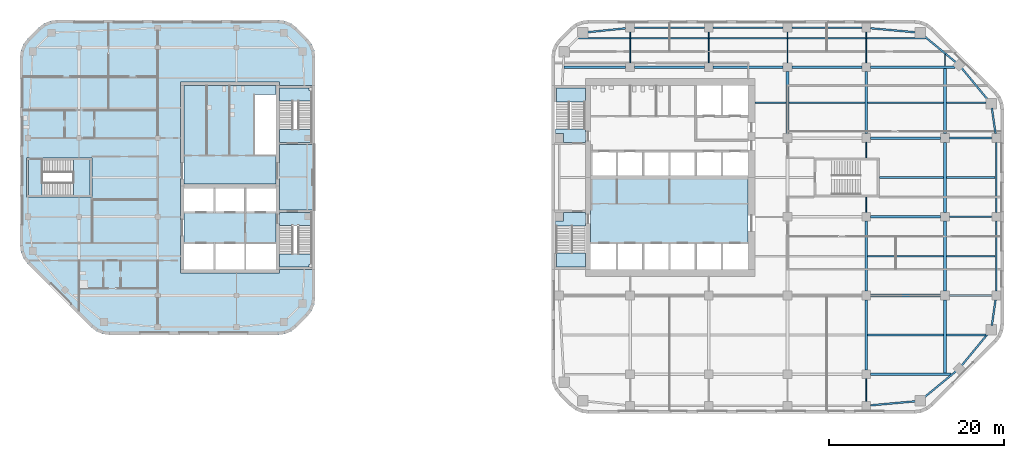
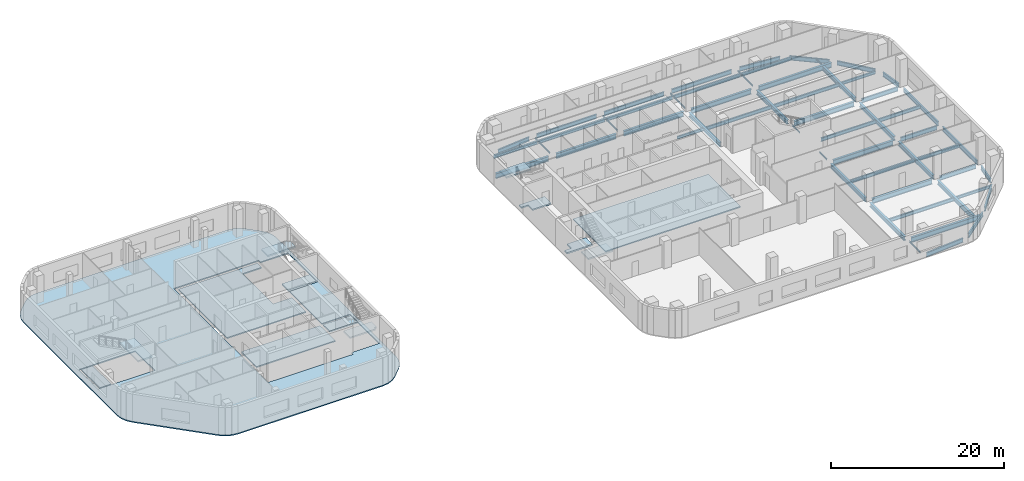
# One storey, part 3 of 14: 57 beams, 14 slabs, 5 elements without a shape of their own.
"""IFC4 building model written with IfcOpenShell, lengths in metres."""

from ifc_helpers import new_model, si_unit, direction, frame, origin, origin_2d, place, context, subcontext, project, spatial, polyline, i_section, outline, extrude, material, layer, layer_set, material_profile, profile_set, type_object, element, aggregate, save


model = new_model("IFC4")

# Units and contexts
model_context = context("Model", 3, precision=1e-05, world=origin(), true_north=direction((0.0, 1.0)))
body_context = subcontext(model_context, "Body", "Model", "MODEL_VIEW")
ifc_project = project(units=[si_unit("LENGTHUNIT", "METRE"), si_unit("AREAUNIT", "SQUARE_METRE"), si_unit("VOLUMEUNIT", "CUBIC_METRE"), si_unit("PLANEANGLEUNIT", "RADIAN"), si_unit("MASSUNIT", "GRAM", prefix="KILO")], contexts=[model_context])

# Site, building, storey
site_placement = place(None, origin())
site = spatial("IfcSite", under=ifc_project, at=site_placement, CompositionType="ELEMENT")
building_placement = place(site_placement, origin())
building = spatial("IfcBuilding", under=site, at=building_placement, Name="Cinnabar Reach Civic Tower", CompositionType="ELEMENT")
storey_placement = place(building_placement, frame((0.0, 0.0, 132.0)))
storey = spatial("IfcBuildingStorey", under=building, at=storey_placement, Name="L31", CompositionType="ELEMENT", Elevation=132.0)

# Beams
ifc_material_1 = material(Name="Steel Q355B", Category="steel")
ifc_material_profile_1 = material_profile(ifc_material_1, i_section(OverallWidth=0.302, OverallDepth=0.594, WebThickness=0.014, FlangeThickness=0.023, FilletRadius=0.016, at=origin_2d()), Name="HM594x302x14x23")
ifc_profile_set_1 = profile_set([ifc_material_profile_1], Name="Steel Q355B")
beam_type_1 = type_object("IfcBeamType", Name="HM594x302x14x23 beam R 180", PredefinedType="BEAM", material=ifc_profile_set_1)
beam_1_placement = place(storey_placement, frame((27.0, 36.502, -0.447), z_axis=(0.0, 1.0, 0.0), x_axis=(-1.0, 0.0, 0.0)))
element("IfcBeam", 1, at=beam_1_placement, inside=storey, type_object=beam_type_1, Name="Girder T1 L31 13", PredefinedType="BEAM", context=body_context, shape_type="SweptSolid", body=[
    extrude(i_section(OverallWidth=0.302, OverallDepth=0.594, WebThickness=0.014, FlangeThickness=0.023, FilletRadius=0.016, at=origin_2d()), origin(), (0.0, 0.0, 1.0), 7.096),
])
for number, where, z_axis, x_axis, name in (
    (2, (36.0, 9.502, -0.447), (0.0, 1.0, 0.0), (-1.0, 0.0, 0.0), "Girder T1 L31 16"),
    (3, (36.0, 18.502, -0.447), (0.0, 1.0, 0.0), (-1.0, 0.0, 0.0), "Girder T1 L31 17"),
):
    element("IfcBeam", number, at=place(storey_placement, frame(where, z_axis=z_axis, x_axis=x_axis)), inside=storey, type_object=beam_type_1, Name=name, PredefinedType="BEAM", context=body_context, shape_type="SweptSolid", body=[
        extrude(i_section(OverallWidth=0.302, OverallDepth=0.594, WebThickness=0.014, FlangeThickness=0.023, FilletRadius=0.016, at=origin_2d()), origin(), (0.0, 0.0, 1.0), 7.996),
    ])
beam_2_placement = place(storey_placement, frame((36.0, 36.502, -0.447), z_axis=(0.0, 1.0, 0.0), x_axis=(-1.0, 0.0, 0.0)))
element("IfcBeam", 4, at=beam_2_placement, inside=storey, type_object=beam_type_1, Name="Girder T1 L31 20", PredefinedType="BEAM", context=body_context, shape_type="SweptSolid", body=[
    extrude(i_section(OverallWidth=0.302, OverallDepth=0.594, WebThickness=0.014, FlangeThickness=0.023, FilletRadius=0.016, at=origin_2d()), origin(), (0.0, 0.0, 1.0), 7.096),
])
beam_3_placement = place(storey_placement, frame((45.0, 9.152, -0.447), z_axis=(0.0, 1.0, 0.0), x_axis=(-1.0, 0.0, 0.0)))
element("IfcBeam", 5, at=beam_3_placement, inside=storey, type_object=beam_type_1, Name="Girder T1 L31 22", PredefinedType="BEAM", context=body_context, shape_type="SweptSolid", body=[
    extrude(i_section(OverallWidth=0.302, OverallDepth=0.594, WebThickness=0.014, FlangeThickness=0.023, FilletRadius=0.016, at=origin_2d()), origin(), (0.0, 0.0, 1.0), 8.346),
])
for number, where, z_axis, x_axis, name in (
    (6, (45.0, 18.502, -0.447), (0.0, 1.0, 0.0), (-1.0, 0.0, 0.0), "Girder T1 L31 23"),
    (7, (45.0, 27.502, -0.447), (0.0, 1.0, 0.0), (-1.0, 0.0, 0.0), "Girder T1 L31 24"),
):
    element("IfcBeam", number, at=place(storey_placement, frame(where, z_axis=z_axis, x_axis=x_axis)), inside=storey, type_object=beam_type_1, Name=name, PredefinedType="BEAM", context=body_context, shape_type="SweptSolid", body=[
        extrude(i_section(OverallWidth=0.302, OverallDepth=0.594, WebThickness=0.014, FlangeThickness=0.023, FilletRadius=0.016, at=origin_2d()), origin(), (0.0, 0.0, 1.0), 7.996),
    ])
beam_4_placement = place(storey_placement, frame((45.0, 36.502, -0.447), z_axis=(0.0, 1.0, 0.0), x_axis=(-1.0, 0.0, 0.0)))
element("IfcBeam", 8, at=beam_4_placement, inside=storey, type_object=beam_type_1, Name="Girder T1 L31 25", PredefinedType="BEAM", context=body_context, shape_type="SweptSolid", body=[
    extrude(i_section(OverallWidth=0.302, OverallDepth=0.594, WebThickness=0.014, FlangeThickness=0.023, FilletRadius=0.016, at=origin_2d()), origin(), (0.0, 0.0, 1.0), 7.446),
])
ifc_material_profile_2 = material_profile(ifc_material_1, i_section(OverallWidth=0.099, OverallDepth=0.198, WebThickness=0.0045, FlangeThickness=0.007, FilletRadius=0.013, at=origin_2d()), Name="HN200x100x5.5x8")
ifc_profile_set_2 = profile_set([ifc_material_profile_2], Name="Steel Q355B")
beam_type_2 = type_object("IfcBeamType", Name="HN200x100x5.5x8 beam R 180", PredefinedType="BEAM", material=ifc_profile_set_2)
for number, where, z_axis, x_axis, name in (
    (9, (9.0, 44.602, -0.249), (0.0, 1.0, 0.0), (-1.0, 0.0, 0.0), "Girder T1 L31 4"),
    (10, (18.0, 44.602, -0.249), (0.0, 1.0, 0.0), (-1.0, 0.0, 0.0), "Girder T1 L31 8"),
    (11, (27.0, 44.602, -0.249), (0.0, 1.0, 0.0), (-1.0, 0.0, 0.0), "Girder T1 L31 14"),
):
    element("IfcBeam", number, at=place(storey_placement, frame(where, z_axis=z_axis, x_axis=x_axis)), inside=storey, type_object=beam_type_2, Name=name, PredefinedType="BEAM", context=body_context, shape_type="SweptSolid", body=[
        extrude(i_section(OverallWidth=0.099, OverallDepth=0.198, WebThickness=0.0045, FlangeThickness=0.007, FilletRadius=0.013, at=origin_2d()), origin(), (0.0, 0.0, 1.0), 3.496),
    ])
beam_5_placement = place(storey_placement, frame((36.0, 5.902, -0.249), z_axis=(0.0, 1.0, 0.0), x_axis=(-1.0, 0.0, 0.0)))
element("IfcBeam", 12, at=beam_5_placement, inside=storey, type_object=beam_type_2, Name="Girder T1 L31 15", PredefinedType="BEAM", context=body_context, shape_type="SweptSolid", body=[
    extrude(i_section(OverallWidth=0.099, OverallDepth=0.198, WebThickness=0.0045, FlangeThickness=0.007, FilletRadius=0.013, at=origin_2d()), origin(), (0.0, 0.0, 1.0), 2.596),
])
for number, where, z_axis, x_axis, name in (
    (13, (36.0, 27.502, -0.249), (0.0, 1.0, 0.0), (-1.0, 0.0, 0.0), "Girder T1 L31 18"),
    (14, (36.0, 33.752, -0.249), (0.0, 1.0, 0.0), (-1.0, 0.0, 0.0), "Girder T1 L31 19"),
):
    element("IfcBeam", number, at=place(storey_placement, frame(where, z_axis=z_axis, x_axis=x_axis)), inside=storey, type_object=beam_type_2, Name=name, PredefinedType="BEAM", context=body_context, shape_type="SweptSolid", body=[
        extrude(i_section(OverallWidth=0.099, OverallDepth=0.198, WebThickness=0.0045, FlangeThickness=0.007, FilletRadius=0.013, at=origin_2d()), origin(), (0.0, 0.0, 1.0), 1.746),
    ])
beam_6_placement = place(storey_placement, frame((36.0, 44.602, -0.249), z_axis=(0.0, 1.0, 0.0), x_axis=(-1.0, 0.0, 0.0)))
element("IfcBeam", 15, at=beam_6_placement, inside=storey, type_object=beam_type_2, Name="Girder T1 L31 21", PredefinedType="BEAM", context=body_context, shape_type="SweptSolid", body=[
    extrude(i_section(OverallWidth=0.099, OverallDepth=0.198, WebThickness=0.0045, FlangeThickness=0.007, FilletRadius=0.013, at=origin_2d()), origin(), (0.0, 0.0, 1.0), 3.496),
])
beam_7_placement = place(storey_placement, frame((45.0, 44.252, -0.249), z_axis=(0.0, 1.0, 0.0), x_axis=(-1.0, 0.0, 0.0)))
element("IfcBeam", 16, at=beam_7_placement, inside=storey, type_object=beam_type_2, Name="Girder T1 L31 26", PredefinedType="BEAM", context=body_context, shape_type="SweptSolid", body=[
    extrude(i_section(OverallWidth=0.099, OverallDepth=0.198, WebThickness=0.0045, FlangeThickness=0.007, FilletRadius=0.013, at=origin_2d()), origin(), (0.0, 0.0, 1.0), 1.3103),
])
ifc_material_profile_3 = material_profile(ifc_material_1, i_section(OverallWidth=0.199, OverallDepth=0.396, WebThickness=0.007, FlangeThickness=0.011, FilletRadius=0.013, at=origin_2d()), Name="HN396x199x7x11")
ifc_profile_set_3 = profile_set([ifc_material_profile_3], Name="Steel Q355B")
beam_type_3 = type_object("IfcBeamType", Name="HN396x199x7x11 beam R 180", PredefinedType="BEAM", material=ifc_profile_set_3)
beam_8_placement = place(storey_placement, frame((45.153, 13.5, -0.348), z_axis=(1.0, 0.0, 0.0), x_axis=(0.0, 1.0, 0.0)))
element("IfcBeam", 17, at=beam_8_placement, inside=storey, type_object=beam_type_3, Name="Secondary beam T1 L31 6", PredefinedType="BEAM", context=body_context, shape_type="SweptSolid", body=[
    extrude(i_section(OverallWidth=0.199, OverallDepth=0.396, WebThickness=0.007, FlangeThickness=0.011, FilletRadius=0.013, at=origin_2d()), origin(), (0.0, 0.0, 1.0), 4.5152),
])
beam_9_placement = place(storey_placement, frame((23.302, 40.05, -0.348), z_axis=(1.0, 0.0, 0.0), x_axis=(0.0, 1.0, 0.0)))
element("IfcBeam", 18, at=beam_9_placement, inside=storey, type_object=beam_type_3, Name="Secondary beam T1 L31 16", PredefinedType="BEAM", context=body_context, shape_type="SweptSolid", body=[
    extrude(i_section(OverallWidth=0.199, OverallDepth=0.396, WebThickness=0.007, FlangeThickness=0.011, FilletRadius=0.013, at=origin_2d()), origin(), (0.0, 0.0, 1.0), 3.545),
])
beam_10_placement = place(storey_placement, frame((45.153, 40.05, -0.348), z_axis=(1.0, 0.0, 0.0), x_axis=(0.0, 1.0, 0.0)))
element("IfcBeam", 19, at=beam_10_placement, inside=storey, type_object=beam_type_3, Name="Secondary beam T1 L31 19", PredefinedType="BEAM", context=body_context, shape_type="SweptSolid", body=[
    extrude(i_section(OverallWidth=0.199, OverallDepth=0.396, WebThickness=0.007, FlangeThickness=0.011, FilletRadius=0.013, at=origin_2d()), origin(), (0.0, 0.0, 1.0), 4.5419),
])
ifc_material_profile_4 = material_profile(ifc_material_1, i_section(OverallWidth=0.199, OverallDepth=0.496, WebThickness=0.009, FlangeThickness=0.014, FilletRadius=0.016, at=origin_2d()), Name="HN496x199x9x14")
ifc_profile_set_4 = profile_set([ifc_material_profile_4], Name="Steel Q355B")
beam_type_4 = type_object("IfcBeamType", Name="HN496x199x9x14 beam R 180", PredefinedType="BEAM", material=ifc_profile_set_4)
for number, where, z_axis, x_axis, name in (
    (20, (36.153, 13.5, -0.398), (1.0, 0.0, 0.0), (0.0, 1.0, 0.0), "Secondary beam T1 L31 5"),
    (21, (36.153, 22.5, -0.398), (1.0, 0.0, 0.0), (0.0, 1.0, 0.0), "Secondary beam T1 L31 9"),
):
    element("IfcBeam", number, at=place(storey_placement, frame(where, z_axis=z_axis, x_axis=x_axis)), inside=storey, type_object=beam_type_4, Name=name, PredefinedType="BEAM", context=body_context, shape_type="SweptSolid", body=[
        extrude(i_section(OverallWidth=0.199, OverallDepth=0.496, WebThickness=0.009, FlangeThickness=0.014, FilletRadius=0.016, at=origin_2d()), origin(), (0.0, 0.0, 1.0), 8.694),
    ])
beam_11_placement = place(storey_placement, frame((45.153, 22.5, -0.398), z_axis=(1.0, 0.0, 0.0), x_axis=(0.0, 1.0, 0.0)))
element("IfcBeam", 22, at=beam_11_placement, inside=storey, type_object=beam_type_4, Name="Secondary beam T1 L31 10", PredefinedType="BEAM", context=body_context, shape_type="SweptSolid", body=[
    extrude(i_section(OverallWidth=0.199, OverallDepth=0.496, WebThickness=0.009, FlangeThickness=0.014, FilletRadius=0.016, at=origin_2d()), origin(), (0.0, 0.0, 1.0), 5.595),
])
beam_12_placement = place(storey_placement, frame((37.502, 31.5, -0.398), z_axis=(1.0, 0.0, 0.0), x_axis=(0.0, 1.0, 0.0)))
element("IfcBeam", 23, at=beam_12_placement, inside=storey, type_object=beam_type_4, Name="Secondary beam T1 L31 14", PredefinedType="BEAM", context=body_context, shape_type="SweptSolid", body=[
    extrude(i_section(OverallWidth=0.199, OverallDepth=0.496, WebThickness=0.009, FlangeThickness=0.014, FilletRadius=0.016, at=origin_2d()), origin(), (0.0, 0.0, 1.0), 7.345),
])
beam_13_placement = place(storey_placement, frame((45.153, 31.5, -0.398), z_axis=(1.0, 0.0, 0.0), x_axis=(0.0, 1.0, 0.0)))
element("IfcBeam", 24, at=beam_13_placement, inside=storey, type_object=beam_type_4, Name="Secondary beam T1 L31 15", PredefinedType="BEAM", context=body_context, shape_type="SweptSolid", body=[
    extrude(i_section(OverallWidth=0.199, OverallDepth=0.496, WebThickness=0.009, FlangeThickness=0.014, FilletRadius=0.016, at=origin_2d()), origin(), (0.0, 0.0, 1.0), 5.595),
])
for number, where, z_axis, x_axis, name in (
    (25, (27.153, 40.05, -0.398), (1.0, 0.0, 0.0), (0.0, 1.0, 0.0), "Secondary beam T1 L31 17"),
    (26, (36.153, 40.05, -0.398), (1.0, 0.0, 0.0), (0.0, 1.0, 0.0), "Secondary beam T1 L31 18"),
):
    element("IfcBeam", number, at=place(storey_placement, frame(where, z_axis=z_axis, x_axis=x_axis)), inside=storey, type_object=beam_type_4, Name=name, PredefinedType="BEAM", context=body_context, shape_type="SweptSolid", body=[
        extrude(i_section(OverallWidth=0.199, OverallDepth=0.496, WebThickness=0.009, FlangeThickness=0.014, FilletRadius=0.016, at=origin_2d()), origin(), (0.0, 0.0, 1.0), 8.694),
    ])
beam_14_placement = place(storey_placement, frame((3.0992, 47.4, -0.398), z_axis=(1.0, 0.0, 0.0), x_axis=(0.0, 1.0, 0.0)))
element("IfcBeam", 27, at=beam_14_placement, inside=storey, type_object=beam_type_4, Name="Secondary beam T1 L31 20", PredefinedType="BEAM", context=body_context, shape_type="SweptSolid", body=[
    extrude(i_section(OverallWidth=0.199, OverallDepth=0.496, WebThickness=0.009, FlangeThickness=0.014, FilletRadius=0.016, at=origin_2d()), origin(), (0.0, 0.0, 1.0), 5.8493),
])
for number, where, z_axis, x_axis, name in (
    (28, (9.0515, 47.4, -0.398), (1.0, 0.0, 0.0), (0.0, 1.0, 0.0), "Secondary beam T1 L31 21"),
    (29, (18.0515, 47.4, -0.398), (1.0, 0.0, 0.0), (0.0, 1.0, 0.0), "Secondary beam T1 L31 22"),
    (30, (27.0515, 47.4, -0.398), (1.0, 0.0, 0.0), (0.0, 1.0, 0.0), "Secondary beam T1 L31 23"),
):
    element("IfcBeam", number, at=place(storey_placement, frame(where, z_axis=z_axis, x_axis=x_axis)), inside=storey, type_object=beam_type_4, Name=name, PredefinedType="BEAM", context=body_context, shape_type="SweptSolid", body=[
        extrude(i_section(OverallWidth=0.199, OverallDepth=0.496, WebThickness=0.009, FlangeThickness=0.014, FilletRadius=0.016, at=origin_2d()), origin(), (0.0, 0.0, 1.0), 8.897),
    ])
beam_15_placement = place(storey_placement, frame((36.0515, 47.4, -0.398), z_axis=(1.0, 0.0, 0.0), x_axis=(0.0, 1.0, 0.0)))
element("IfcBeam", 31, at=beam_15_placement, inside=storey, type_object=beam_type_4, Name="Secondary beam T1 L31 24", PredefinedType="BEAM", context=body_context, shape_type="SweptSolid", body=[
    extrude(i_section(OverallWidth=0.199, OverallDepth=0.496, WebThickness=0.009, FlangeThickness=0.014, FilletRadius=0.016, at=origin_2d()), origin(), (0.0, 0.0, 1.0), 6.7206),
])
ifc_material_profile_5 = material_profile(ifc_material_1, i_section(OverallWidth=0.199, OverallDepth=0.596, WebThickness=0.01, FlangeThickness=0.015, FilletRadius=0.016, at=origin_2d()), Name="HN596x199x10x15")
ifc_profile_set_5 = profile_set([ifc_material_profile_5], Name="Steel Q355B")
beam_type_5 = type_object("IfcBeamType", Name="HN596x199x10x15 beam R 180", PredefinedType="BEAM", material=ifc_profile_set_5)
for number, where, z_axis, x_axis, name in (
    (32, (45.502, 18.0, -0.448), (1.0, 0.0, 0.0), (0.0, 1.0, 0.0), "Girder T1 L31 11"),
    (33, (45.502, 27.0, -0.448), (1.0, 0.0, 0.0), (0.0, 1.0, 0.0), "Girder T1 L31 15"),
    (34, (45.502, 36.0, -0.448), (1.0, 0.0, 0.0), (0.0, 1.0, 0.0), "Girder T1 L31 19"),
):
    element("IfcBeam", number, at=place(storey_placement, frame(where, z_axis=z_axis, x_axis=x_axis)), inside=storey, type_object=beam_type_5, Name=name, PredefinedType="BEAM", context=body_context, shape_type="SweptSolid", body=[
        extrude(i_section(OverallWidth=0.199, OverallDepth=0.596, WebThickness=0.01, FlangeThickness=0.015, FilletRadius=0.016, at=origin_2d()), origin(), (0.0, 0.0, 1.0), 4.846),
    ])
ifc_material_profile_6 = material_profile(ifc_material_1, i_section(OverallWidth=0.2, OverallDepth=0.6, WebThickness=0.011, FlangeThickness=0.017, FilletRadius=0.016, at=origin_2d()), Name="HN600x200x11x17")
ifc_profile_set_6 = profile_set([ifc_material_profile_6], Name="Steel Q355B")
beam_type_6 = type_object("IfcBeamType", Name="HN600x200x11x17 beam R 180", PredefinedType="BEAM", material=ifc_profile_set_6)
beam_16_placement = place(storey_placement, frame((36.502, 5.4452, -0.45), z_axis=(0.995979069281, 0.089586235294, 0.0), x_axis=(-0.089586235294, 0.995979069281, 0.0)))
element("IfcBeam", 35, at=beam_16_placement, inside=storey, type_object=beam_type_6, Name="Edge beam T1 L31 5", PredefinedType="BEAM", context=body_context, shape_type="SweptSolid", body=[
    extrude(i_section(OverallWidth=0.2, OverallDepth=0.6, WebThickness=0.011, FlangeThickness=0.017, FilletRadius=0.016, at=origin_2d()), origin(), (0.0, 0.0, 1.0), 5.1849),
])
for number, where, z_axis, x_axis, name in (
    (36, (42.6301, 6.3507, -0.45), (0.77143827905, 0.6363041581, 0.0), (-0.6363041581, 0.77143827905, 0.0), "Edge beam T1 L31 6"),
    (37, (46.8961, 9.9789, -0.45), (0.6363041581, 0.77143827905, 0.0), (-0.77143827905, 0.6363041581, 0.0), "Edge beam T1 L31 7"),
):
    element("IfcBeam", number, at=place(storey_placement, frame(where, z_axis=z_axis, x_axis=x_axis)), inside=storey, type_object=beam_type_6, Name=name, PredefinedType="BEAM", context=body_context, shape_type="SweptSolid", body=[
        extrude(i_section(OverallWidth=0.2, OverallDepth=0.6, WebThickness=0.011, FlangeThickness=0.017, FilletRadius=0.016, at=origin_2d()), origin(), (0.0, 0.0, 1.0), 4.7198),
    ])
beam_17_placement = place(storey_placement, frame((50.3653, 14.5839, -0.45), z_axis=(0.140489003738, 0.990082238922, 0.0), x_axis=(-0.990082238922, 0.140489003738, 0.0)))
element("IfcBeam", 38, at=beam_17_placement, inside=storey, type_object=beam_type_6, Name="Edge beam T1 L31 8", PredefinedType="BEAM", context=body_context, shape_type="SweptSolid", body=[
    extrude(i_section(OverallWidth=0.2, OverallDepth=0.6, WebThickness=0.011, FlangeThickness=0.017, FilletRadius=0.016, at=origin_2d()), origin(), (0.0, 0.0, 1.0), 2.9433),
])
for number, where, z_axis, x_axis, name in (
    (39, (50.85, 18.502, -0.45), (0.0, 1.0, 0.0), (-1.0, 0.0, 0.0), "Edge beam T1 L31 9"),
    (40, (50.85, 27.502, -0.45), (0.0, 1.0, 0.0), (-1.0, 0.0, 0.0), "Edge beam T1 L31 10"),
):
    element("IfcBeam", number, at=place(storey_placement, frame(where, z_axis=z_axis, x_axis=x_axis)), inside=storey, type_object=beam_type_6, Name=name, PredefinedType="BEAM", context=body_context, shape_type="SweptSolid", body=[
        extrude(i_section(OverallWidth=0.2, OverallDepth=0.6, WebThickness=0.011, FlangeThickness=0.017, FilletRadius=0.016, at=origin_2d()), origin(), (0.0, 0.0, 1.0), 7.996),
    ])
beam_18_placement = place(storey_placement, frame((50.7788, 36.502, -0.45), z_axis=(-0.140489003738, 0.990082238922, 0.0), x_axis=(-0.990082238922, -0.140489003738, 0.0)))
element("IfcBeam", 41, at=beam_18_placement, inside=storey, type_object=beam_type_6, Name="Edge beam T1 L31 11", PredefinedType="BEAM", context=body_context, shape_type="SweptSolid", body=[
    extrude(i_section(OverallWidth=0.2, OverallDepth=0.6, WebThickness=0.011, FlangeThickness=0.017, FilletRadius=0.016, at=origin_2d()), origin(), (0.0, 0.0, 1.0), 2.9433),
])
for number, where, z_axis, x_axis, name in (
    (42, (49.8993, 40.3801, -0.45), (-0.6363041581, 0.77143827905, 0.0), (-0.77143827905, -0.6363041581, 0.0), "Edge beam T1 L31 12"),
    (43, (46.2711, 44.6461, -0.45), (-0.77143827905, 0.6363041581, 0.0), (-0.6363041581, -0.77143827905, 0.0), "Edge beam T1 L31 13"),
):
    element("IfcBeam", number, at=place(storey_placement, frame(where, z_axis=z_axis, x_axis=x_axis)), inside=storey, type_object=beam_type_6, Name=name, PredefinedType="BEAM", context=body_context, shape_type="SweptSolid", body=[
        extrude(i_section(OverallWidth=0.2, OverallDepth=0.6, WebThickness=0.011, FlangeThickness=0.017, FilletRadius=0.016, at=origin_2d()), origin(), (0.0, 0.0, 1.0), 4.7198),
    ])
beam_19_placement = place(storey_placement, frame((41.6661, 48.0903, -0.45), z_axis=(-0.995979069281, 0.089586235294, 0.0), x_axis=(-0.089586235294, -0.995979069281, 0.0)))
element("IfcBeam", 44, at=beam_19_placement, inside=storey, type_object=beam_type_6, Name="Edge beam T1 L31 14", PredefinedType="BEAM", context=body_context, shape_type="SweptSolid", body=[
    extrude(i_section(OverallWidth=0.2, OverallDepth=0.6, WebThickness=0.011, FlangeThickness=0.017, FilletRadius=0.016, at=origin_2d()), origin(), (0.0, 0.0, 1.0), 5.1849),
])
for number, where, z_axis, x_axis, name in (
    (45, (35.498, 48.6, -0.45), (-1.0, 0.0, 0.0), (0.0, -1.0, 0.0), "Edge beam T1 L31 15"),
    (46, (26.498, 48.6, -0.45), (-1.0, 0.0, 0.0), (0.0, -1.0, 0.0), "Edge beam T1 L31 16"),
    (47, (17.498, 48.6, -0.45), (-1.0, 0.0, 0.0), (0.0, -1.0, 0.0), "Edge beam T1 L31 17"),
):
    element("IfcBeam", number, at=place(storey_placement, frame(where, z_axis=z_axis, x_axis=x_axis)), inside=storey, type_object=beam_type_6, Name=name, PredefinedType="BEAM", context=body_context, shape_type="SweptSolid", body=[
        extrude(i_section(OverallWidth=0.2, OverallDepth=0.6, WebThickness=0.011, FlangeThickness=0.017, FilletRadius=0.016, at=origin_2d()), origin(), (0.0, 0.0, 1.0), 7.996),
    ])
beam_20_placement = place(storey_placement, frame((8.498, 48.5486, -0.45), z_axis=(-0.994791228755, -0.101933366432, 0.0), x_axis=(0.101933366432, -0.994791228755, 0.0)))
element("IfcBeam", 48, at=beam_20_placement, inside=storey, type_object=beam_type_6, Name="Edge beam T1 L31 18", PredefinedType="BEAM", context=body_context, shape_type="SweptSolid", body=[
    extrude(i_section(OverallWidth=0.2, OverallDepth=0.6, WebThickness=0.011, FlangeThickness=0.017, FilletRadius=0.016, at=origin_2d()), origin(), (0.0, 0.0, 1.0), 4.4372),
])
ifc_material_profile_7 = material_profile(ifc_material_1, i_section(OverallWidth=0.3, OverallDepth=0.692, WebThickness=0.013, FlangeThickness=0.02, FilletRadius=0.016, at=origin_2d()), Name="HN692x300x13x20")
ifc_profile_set_7 = profile_set([ifc_material_profile_7], Name="Steel Q355B")
beam_type_7 = type_object("IfcBeamType", Name="HN692x300x13x20 beam R 180", PredefinedType="BEAM", material=ifc_profile_set_7)
beam_21_placement = place(storey_placement, frame((36.502, 9.0, -0.496), z_axis=(1.0, 0.0, 0.0), x_axis=(0.0, 1.0, 0.0)))
element("IfcBeam", 49, at=beam_21_placement, inside=storey, type_object=beam_type_7, Name="Girder T1 L31 5", PredefinedType="BEAM", context=body_context, shape_type="SweptSolid", body=[
    extrude(i_section(OverallWidth=0.3, OverallDepth=0.692, WebThickness=0.013, FlangeThickness=0.02, FilletRadius=0.016, at=origin_2d()), origin(), (0.0, 0.0, 1.0), 9.1798),
])
for number, where, z_axis, x_axis, name in (
    (50, (36.502, 18.0, -0.496), (1.0, 0.0, 0.0), (0.0, 1.0, 0.0), "Girder T1 L31 10"),
    (51, (36.502, 27.0, -0.496), (1.0, 0.0, 0.0), (0.0, 1.0, 0.0), "Girder T1 L31 14"),
    (52, (36.502, 36.0, -0.496), (1.0, 0.0, 0.0), (0.0, 1.0, 0.0), "Girder T1 L31 18"),
):
    element("IfcBeam", number, at=place(storey_placement, frame(where, z_axis=z_axis, x_axis=x_axis)), inside=storey, type_object=beam_type_7, Name=name, PredefinedType="BEAM", context=body_context, shape_type="SweptSolid", body=[
        extrude(i_section(OverallWidth=0.3, OverallDepth=0.692, WebThickness=0.013, FlangeThickness=0.02, FilletRadius=0.016, at=origin_2d()), origin(), (0.0, 0.0, 1.0), 7.996),
    ])
beam_22_placement = place(storey_placement, frame((1.4548, 44.1, -0.496), z_axis=(1.0, 0.0, 0.0), x_axis=(0.0, 1.0, 0.0)))
element("IfcBeam", 53, at=beam_22_placement, inside=storey, type_object=beam_type_7, Name="Girder T1 L31 20", PredefinedType="BEAM", context=body_context, shape_type="SweptSolid", body=[
    extrude(i_section(OverallWidth=0.3, OverallDepth=0.692, WebThickness=0.013, FlangeThickness=0.02, FilletRadius=0.016, at=origin_2d()), origin(), (0.0, 0.0, 1.0), 7.0432),
])
for number, where, z_axis, x_axis, name in (
    (54, (9.502, 44.1, -0.496), (1.0, 0.0, 0.0), (0.0, 1.0, 0.0), "Girder T1 L31 21"),
    (55, (18.502, 44.1, -0.496), (1.0, 0.0, 0.0), (0.0, 1.0, 0.0), "Girder T1 L31 22"),
    (56, (27.502, 44.1, -0.496), (1.0, 0.0, 0.0), (0.0, 1.0, 0.0), "Girder T1 L31 23"),
):
    element("IfcBeam", number, at=place(storey_placement, frame(where, z_axis=z_axis, x_axis=x_axis)), inside=storey, type_object=beam_type_7, Name=name, PredefinedType="BEAM", context=body_context, shape_type="SweptSolid", body=[
        extrude(i_section(OverallWidth=0.3, OverallDepth=0.692, WebThickness=0.013, FlangeThickness=0.02, FilletRadius=0.016, at=origin_2d()), origin(), (0.0, 0.0, 1.0), 7.996),
    ])
beam_23_placement = place(storey_placement, frame((36.502, 44.1, -0.496), z_axis=(1.0, 0.0, 0.0), x_axis=(0.0, 1.0, 0.0)))
element("IfcBeam", 57, at=beam_23_placement, inside=storey, type_object=beam_type_7, Name="Girder T1 L31 24", PredefinedType="BEAM", context=body_context, shape_type="SweptSolid", body=[
    extrude(i_section(OverallWidth=0.3, OverallDepth=0.692, WebThickness=0.013, FlangeThickness=0.02, FilletRadius=0.016, at=origin_2d()), origin(), (0.0, 0.0, 1.0), 9.6653),
])

# Slab
ifc_material_2 = material(Name="Concrete C40", Category="concrete")
ifc_layer_1 = layer(ifc_material_2, 0.15)
ifc_layer_set_1 = layer_set([ifc_layer_1], Name="Composite floor slab 150 REI 120")
slab_type_1 = type_object("IfcSlabType", Name="Composite floor slab 150 REI 120", PredefinedType="FLOOR", material=ifc_layer_set_1)
slab_1_placement = place(storey_placement, frame((0.0, 0.0, -0.15)))
element("IfcSlab", 58, at=slab_1_placement, inside=storey, type_object=slab_type_1, Name="Composite floor slab 150 T2 L31", PredefinedType="FLOOR", context=body_context, shape_type="SweptSolid", body=[
    extrude(outline(polyline([(-59.8713, 21.6213), (-60.3481, 22.2426), (-60.6478, 22.9662), (-60.75, 23.7426), (-60.75, 45.2574), (-60.6478, 46.0338), (-60.3481, 46.7574), (-59.8713, 47.3787), (-58.6287, 48.6213), (-58.0074, 49.0981), (-57.2838, 49.3978), (-56.5074, 49.5), (-31.2426, 49.5), (-30.4662, 49.3978), (-29.7426, 49.0981), (-29.1213, 48.6213), (-27.8787, 47.3787), (-27.4019, 46.7574), (-27.1022, 46.0338), (-27.0, 45.2574), (-27.0, 17.7426), (-27.1022, 16.9662), (-27.4019, 16.2426), (-27.8787, 15.6213), (-29.1213, 14.3787), (-29.7426, 13.9019), (-30.4662, 13.6022), (-31.2426, 13.5), (-50.5074, 13.5), (-51.2838, 13.6022), (-52.0074, 13.9019), (-52.6287, 14.3787), (-59.8713, 21.6213)]), holes=[polyline([(-31.1, 27.75), (-31.1, 35.25), (-27.36, 35.25), (-27.36, 42.0), (-31.1, 42.0), (-31.1, 42.4), (-42.4, 42.4), (-42.4, 20.6), (-31.1, 20.6), (-31.1, 21.0), (-27.36, 21.0), (-27.36, 27.75), (-31.1, 27.75)]), polyline([(-60.0, 33.75), (-60.0, 29.25), (-52.5, 29.25), (-52.5, 33.75), (-60.0, 33.75)])]), origin(), (0.0, 0.0, 1.0), 0.15),
])

# Stair, slabs
ifc_material_3 = material(Name="Concrete C40/50", Category="concrete")
stair_type_1 = type_object("IfcStairType", Name="T1 Exit stair, half-turn", PredefinedType="HALF_TURN_STAIR", material=ifc_material_3)
stair_1_placement = place(storey_placement, origin())
stair_1 = element("IfcStair", 59, at=stair_1_placement, inside=storey, type_object=stair_type_1, Name="Stair T1-S1", PredefinedType="HALF_TURN_STAIR")
ifc_layer_2 = layer(ifc_material_3, 0.2)
ifc_layer_set_2 = layer_set([ifc_layer_2], Name="T1 Stair landing 200, Concrete C40/50")
slab_type_2 = type_object("IfcSlabType", Name="T1 Stair landing 200, Concrete C40/50", PredefinedType="LANDING", material=ifc_layer_set_2)
slab_2_placement = place(storey_placement, frame((0.0, 0.0, -0.2)))
slab_2 = element("IfcSlab", 60, at=slab_2_placement, type_object=slab_type_2, Name="T1-S1 landing 1", PredefinedType="LANDING", context=body_context, shape_type="SweptSolid", body=[
    extrude(outline(polyline([(3.9, 27.5), (3.9, 25.95), (0.5, 25.95), (0.5, 26.5), (1.4, 26.5), (1.4, 27.5), (3.9, 27.5)])), origin(), (0.0, 0.0, 1.0), 0.2),
])
slab_3_placement = place(storey_placement, frame((0.0, 0.0, 1.8)))
slab_3 = element("IfcSlab", 61, at=slab_3_placement, type_object=slab_type_2, Name="T1-S1 landing 2", PredefinedType="LANDING", context=body_context, shape_type="SweptSolid", body=[
    extrude(outline(polyline([(0.6, 21.25), (0.6, 22.87), (3.9, 22.87), (3.9, 21.25), (0.6, 21.25)])), origin(), (0.0, 0.0, 1.0), 0.2),
])
aggregate(stair_1, [slab_2, slab_3])

stair_2_placement = place(storey_placement, origin())
stair_2 = element("IfcStair", 62, at=stair_2_placement, inside=storey, type_object=stair_type_1, Name="Stair T1-S2", PredefinedType="HALF_TURN_STAIR")
slab_4_placement = place(storey_placement, frame((0.0, 0.0, -0.2)))
slab_4 = element("IfcSlab", 63, at=slab_4_placement, type_object=slab_type_2, Name="T1-S2 landing 1", PredefinedType="LANDING", context=body_context, shape_type="SweptSolid", body=[
    extrude(outline(polyline([(0.5, 37.05), (3.9, 37.05), (3.9, 35.5), (1.4, 35.5), (1.4, 36.5), (0.5, 36.5), (0.5, 37.05)])), origin(), (0.0, 0.0, 1.0), 0.2),
])
slab_5_placement = place(storey_placement, frame((0.0, 0.0, 1.8)))
slab_5 = element("IfcSlab", 64, at=slab_5_placement, type_object=slab_type_2, Name="T1-S2 landing 2", PredefinedType="LANDING", context=body_context, shape_type="SweptSolid", body=[
    extrude(outline(polyline([(0.6, 40.13), (0.6, 41.75), (3.9, 41.75), (3.9, 40.13), (0.6, 40.13)])), origin(), (0.0, 0.0, 1.0), 0.2),
])
aggregate(stair_2, [slab_4, slab_5])

# Slabs
ifc_layer_3 = layer(ifc_material_3, 0.15)
ifc_layer_set_3 = layer_set([ifc_layer_3], Name="T1 core floor slab 150")
slab_type_3 = type_object("IfcSlabType", Name="T1 core floor slab 150", PredefinedType="FLOOR", material=ifc_layer_set_3)
slab_6_placement = place(storey_placement, frame((0.0, 0.0, -0.15)))
element("IfcSlab", 65, at=slab_6_placement, inside=storey, type_object=slab_type_3, Name="Core floor slab L31", PredefinedType="FLOOR", context=body_context, shape_type="SweptSolid", body=[
    extrude(outline(polyline([(22.5, 24.0), (19.5, 24.0), (16.5, 24.0), (13.5, 24.0), (10.5, 24.0), (7.5, 24.0), (4.5, 24.0), (4.5, 31.5), (7.5, 31.5), (10.5, 31.5), (13.5, 31.5), (16.5, 31.5), (19.5, 31.5), (22.5, 31.5), (22.5, 24.0)])), origin(), (0.0, 0.0, 1.0), 0.15),
])
ifc_layer_4 = layer(ifc_material_2, 0.15)
ifc_layer_set_4 = layer_set([ifc_layer_4], Name="T2 Core floor slab 150")
slab_type_4 = type_object("IfcSlabType", Name="T2 Core floor slab 150", PredefinedType="FLOOR", material=ifc_layer_set_4)
slab_7_placement = place(storey_placement, frame((0.0, 0.0, -0.15)))
element("IfcSlab", 66, at=slab_7_placement, inside=storey, type_object=slab_type_4, Name="Core floor slab L31", PredefinedType="FLOOR", context=body_context, shape_type="SweptSolid", body=[
    extrude(outline(polyline([(-42.0, 42.0), (-31.5, 42.0), (-31.5, 41.0), (-34.0, 41.0), (-34.0, 34.0), (-31.5, 34.0), (-31.5, 30.75), (-42.0, 30.75), (-42.0, 42.0)])), origin(), (0.0, 0.0, 1.0), 0.15),
])
slab_8_placement = place(storey_placement, frame((0.0, 0.0, -0.15)))
element("IfcSlab", 67, at=slab_8_placement, inside=storey, type_object=slab_type_4, Name="Core floor slab L31", PredefinedType="FLOOR", context=body_context, shape_type="SweptSolid", body=[
    extrude(outline(polyline([(-35.0, 24.0), (-38.5, 24.0), (-42.0, 24.0), (-42.0, 27.5), (-38.5, 27.5), (-35.0, 27.5), (-31.5, 27.5), (-31.5, 24.0), (-35.0, 24.0)])), origin(), (0.0, 0.0, 1.0), 0.15),
])

# Stair, slabs
stair_type_2 = type_object("IfcStairType", Name="T2 Exit stair 1500", PredefinedType="HALF_TURN_STAIR", material=ifc_material_2)
stair_3_placement = place(storey_placement, origin())
stair_3 = element("IfcStair", 68, at=stair_3_placement, inside=storey, type_object=stair_type_2, Name="Exit stair 1", PredefinedType="HALF_TURN_STAIR")
ifc_layer_5 = layer(ifc_material_2, 0.2)
ifc_layer_set_5 = layer_set([ifc_layer_5], Name="T2 Stair landing 200")
slab_type_5 = type_object("IfcSlabType", Name="T2 Stair landing 200", PredefinedType="LANDING", material=ifc_layer_set_5)
slab_9_placement = place(storey_placement, frame((0.0, 0.0, -0.2)))
slab_9 = element("IfcSlab", 69, at=slab_9_placement, type_object=slab_type_5, Name="ST1 landing 1", PredefinedType="LANDING", context=body_context, shape_type="SweptSolid", body=[
    extrude(outline(polyline([(-31.1, 26.0), (-31.1, 27.5), (-27.4, 27.5), (-27.4, 26.0), (-31.1, 26.0)])), origin(), (0.0, 0.0, 1.0), 0.2),
])
slab_10_placement = place(storey_placement, frame((0.0, 0.0, 1.8)))
slab_10 = element("IfcSlab", 70, at=slab_10_placement, type_object=slab_type_5, Name="ST1 landing 2", PredefinedType="LANDING", context=body_context, shape_type="SweptSolid", body=[
    extrude(outline(polyline([(-31.1, 21.25), (-31.1, 22.75), (-27.4, 22.75), (-27.4, 21.55), (-27.7, 21.55), (-27.7, 21.25), (-31.1, 21.25)])), origin(), (0.0, 0.0, 1.0), 0.2),
])
aggregate(stair_3, [slab_9, slab_10])

stair_4_placement = place(storey_placement, origin())
stair_4 = element("IfcStair", 71, at=stair_4_placement, inside=storey, type_object=stair_type_2, Name="Exit stair 2", PredefinedType="HALF_TURN_STAIR")
slab_11_placement = place(storey_placement, frame((0.0, 0.0, -0.2)))
slab_11 = element("IfcSlab", 72, at=slab_11_placement, type_object=slab_type_5, Name="ST2 landing 1", PredefinedType="LANDING", context=body_context, shape_type="SweptSolid", body=[
    extrude(outline(polyline([(-31.1, 35.5), (-31.1, 37.0), (-27.4, 37.0), (-27.4, 35.5), (-31.1, 35.5)])), origin(), (0.0, 0.0, 1.0), 0.2),
])
slab_12_placement = place(storey_placement, frame((0.0, 0.0, 1.8)))
slab_12 = element("IfcSlab", 73, at=slab_12_placement, type_object=slab_type_5, Name="ST2 landing 2", PredefinedType="LANDING", context=body_context, shape_type="SweptSolid", body=[
    extrude(outline(polyline([(-27.4, 40.25), (-31.1, 40.25), (-31.1, 41.75), (-27.7, 41.75), (-27.7, 41.45), (-27.4, 41.45), (-27.4, 40.25)])), origin(), (0.0, 0.0, 1.0), 0.2),
])
aggregate(stair_4, [slab_11, slab_12])

stair_5_placement = place(storey_placement, origin())
stair_5 = element("IfcStair", 74, at=stair_5_placement, inside=storey, type_object=stair_type_2, Name="Exit stair 3", PredefinedType="HALF_TURN_STAIR")
slab_13_placement = place(storey_placement, frame((0.0, 0.0, -0.2)))
slab_13 = element("IfcSlab", 75, at=slab_13_placement, type_object=slab_type_5, Name="ST3 landing 1", PredefinedType="LANDING", context=body_context, shape_type="SweptSolid", body=[
    extrude(outline(polyline([(-59.75, 29.375), (-59.75, 33.625), (-58.25, 33.625), (-58.25, 29.375), (-59.75, 29.375)])), origin(), (0.0, 0.0, 1.0), 0.2),
])
slab_14_placement = place(storey_placement, frame((0.0, 0.0, 1.8)))
slab_14 = element("IfcSlab", 76, at=slab_14_placement, type_object=slab_type_5, Name="ST3 landing 2", PredefinedType="LANDING", context=body_context, shape_type="SweptSolid", body=[
    extrude(outline(polyline([(-54.65, 29.375), (-54.65, 33.625), (-52.75, 33.625), (-52.75, 29.375), (-54.65, 29.375)])), origin(), (0.0, 0.0, 1.0), 0.2),
])
aggregate(stair_5, [slab_13, slab_14])

save(model, "model.ifc")
